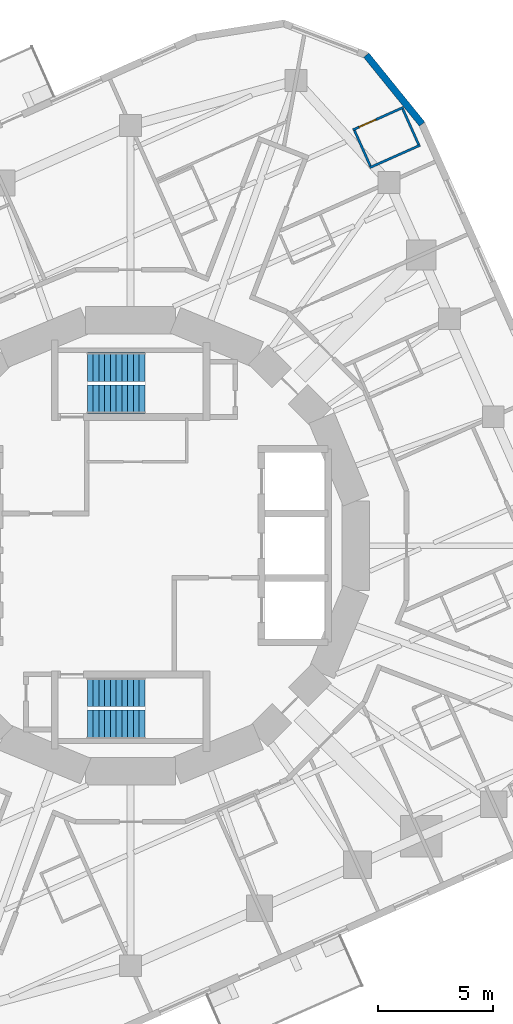
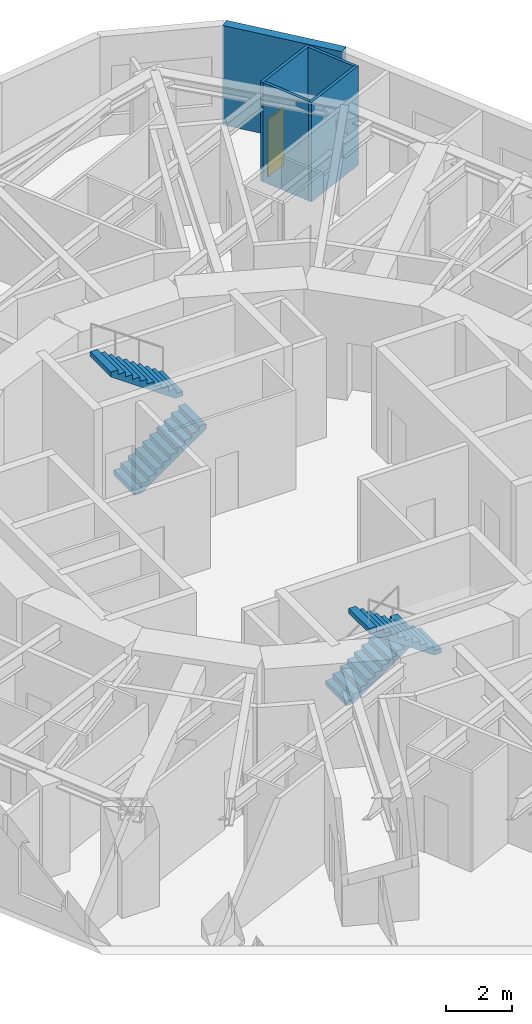
# One storey, part 10 of 12: 5 walls, 4 stair flights, 1 door, 1 opening, 2 elements without a shape of their own.
"""IFC4 building model written with IfcOpenShell, lengths in metres."""

import ifcopenshell
import ifcopenshell.guid

model = None  # the IFC model being written
_history = None  # IfcOwnerHistory: only IFC2X3 demands one
_inside = {}  # id of a spatial element -> (the spatial element, [elements in it])
_under = {}  # id of a project, library or spatial element -> (it, [spatial elements below it])
_declared = {}  # id of a project -> (the project, [libraries it declares])
_typed = {}  # id of a type object -> (the type object, [elements of that type])
_made_of = {}  # id of a material, layer set ... -> (it, [elements and type objects made of it])


def new_model(schema):
    """Start an empty IFC model of exactly this schema.

    Asked for "IFC4X3", IfcOpenShell would pick the latest addendum, in which some entities
    have other attributes; the version numbers below select the first issue.
    IFC2X3 requires an IfcOwnerHistory on every rooted entity: one is made here for all.
    """
    global model, _history
    if schema == "IFC4X3":
        model = ifcopenshell.file(schema_version=(4, 3, 0, 0))
    else:
        model = ifcopenshell.file(schema=schema)
    _inside.clear()
    _under.clear()
    _declared.clear()
    _typed.clear()
    _made_of.clear()
    _history = None
    if model.schema == "IFC2X3":
        org = make("IfcOrganization", Name="unknown")
        user = make(
            "IfcPersonAndOrganization",
            ThePerson=make("IfcPerson", FamilyName="unknown"),
            TheOrganization=org,
        )
        app = make(
            "IfcApplication",
            ApplicationDeveloper=org,
            Version="unknown",
            ApplicationFullName="unknown",
            ApplicationIdentifier="unknown",
        )
        _history = make(
            "IfcOwnerHistory",
            OwningUser=user,
            OwningApplication=app,
            ChangeAction="ADDED",
            CreationDate=0,
        )
    return model


def make(cls, **values):
    """One entity of the class cls with the attributes given. An attribute that is None is left unset."""
    return model.create_entity(
        cls, **{name: value for name, value in values.items() if value is not None}
    )


def rooted(cls, **values):
    """An entity with a GlobalId (a new one), such as an element, a storey or a relation."""
    return make(cls, GlobalId=ifcopenshell.guid.new(), OwnerHistory=_history, **values)


def si_unit(unit_type, name, prefix=None):
    """IfcSIUnit, for example si_unit("LENGTHUNIT", "METRE", prefix="MILLI")."""
    return make("IfcSIUnit", UnitType=unit_type, Prefix=prefix, Name=name)


def assignment(units):
    """IfcUnitAssignment: the units of a project."""
    return None if units is None else make("IfcUnitAssignment", Units=units)


def point(xyz):
    """IfcCartesianPoint."""
    return None if xyz is None else make("IfcCartesianPoint", Coordinates=xyz)


def direction(xyz):
    """IfcDirection."""
    return None if xyz is None else make("IfcDirection", DirectionRatios=xyz)


def frame(location, z_axis=None, x_axis=None):
    """IfcAxis2Placement3D, a coordinate frame: its origin and axes. An axis left out is left unset."""
    return make(
        "IfcAxis2Placement3D",
        Location=point(location),
        Axis=direction(z_axis),
        RefDirection=direction(x_axis),
    )


def frame_2d(location, x_axis=None):
    """IfcAxis2Placement2D, a coordinate frame in the plane: its origin and x axis."""
    return make(
        "IfcAxis2Placement2D", Location=point(location), RefDirection=direction(x_axis)
    )


def origin():
    """The frame at (0, 0, 0) with its axes left unset."""
    return frame((0.0, 0.0, 0.0))


def place(relative_to, where):
    """IfcLocalPlacement: puts the frame where relative to a parent placement (None: the world)."""
    return make(
        "IfcLocalPlacement", PlacementRelTo=relative_to, RelativePlacement=where
    )


def context(
    kind, dimensions, precision=None, world=None, true_north=None, identifier=None
):
    """IfcGeometricRepresentationContext, for example the 3D "Model" context."""
    return make(
        "IfcGeometricRepresentationContext",
        ContextIdentifier=identifier,
        ContextType=kind,
        CoordinateSpaceDimension=dimensions,
        Precision=precision,
        WorldCoordinateSystem=world,
        TrueNorth=true_north,
    )


def subcontext(parent, identifier, kind, view, scale=None):
    """IfcGeometricRepresentationSubContext, for example "Body" below "Model"."""
    return make(
        "IfcGeometricRepresentationSubContext",
        ContextIdentifier=identifier,
        ContextType=kind,
        ParentContext=parent,
        TargetScale=scale,
        TargetView=view,
    )


def project(units=None, contexts=None):
    """IfcProject with its units and contexts."""
    return rooted(
        "IfcProject",
        Name="project",
        RepresentationContexts=contexts,
        UnitsInContext=assignment(units),
    )


def spatial(cls, under=None, at=None, **own):
    """A site, building, storey or space (cls), placed at a placement, below another one or the project."""
    s = rooted(cls, ObjectPlacement=at, **own)
    if under is not None:
        _under.setdefault(under.id(), (under, []))[1].append(s)
    return s


def polyline(points):
    """IfcPolyline through the points."""
    return make("IfcPolyline", Points=[point(p) for p in points])


def profile(cls, at=None, kind="AREA", **sizes):
    """A parametric profile (cls). Its sizes go by their IFC names, for example OverallWidth=200.0."""
    return make(cls, ProfileType=kind, Position=at, **sizes)


def rectangle(**sizes):
    """IfcRectangleProfileDef."""
    return profile("IfcRectangleProfileDef", **sizes)


def outline(outer, holes=None, kind="AREA"):
    """IfcArbitraryClosedProfileDef: a profile drawn as a closed curve; with holes, ...WithVoids."""
    if holes is None:
        return make("IfcArbitraryClosedProfileDef", ProfileType=kind, OuterCurve=outer)
    return make(
        "IfcArbitraryProfileDefWithVoids",
        ProfileType=kind,
        OuterCurve=outer,
        InnerCurves=holes,
    )


def extrude(swept, where, along, depth):
    """IfcExtrudedAreaSolid: the profile swept, set in the frame where, extruded along a direction by depth."""
    return make(
        "IfcExtrudedAreaSolid",
        SweptArea=swept,
        Position=where,
        ExtrudedDirection=direction(along),
        Depth=depth,
    )


def shape(context_of_items, identifier, shape_type, items):
    """IfcShapeRepresentation: the items that make up one representation, for example the "Body"."""
    return make(
        "IfcShapeRepresentation",
        ContextOfItems=context_of_items,
        RepresentationIdentifier=identifier,
        RepresentationType=shape_type,
        Items=items,
    )


def material(Name=None, Category=None):
    """IfcMaterial."""
    return make("IfcMaterial", Name=Name, Category=Category)


def layer(
    of_material, thickness, ventilated=None, Name=None, Category=None, Priority=None
):
    """IfcMaterialLayer: one layer of a wall or slab, of a material (None: an air gap)."""
    return make(
        "IfcMaterialLayer",
        Material=of_material,
        LayerThickness=thickness,
        IsVentilated=ventilated,
        Name=Name,
        Category=Category,
        Priority=Priority,
    )


def layer_set(layers, Name=None):
    """IfcMaterialLayerSet."""
    return make("IfcMaterialLayerSet", MaterialLayers=layers, LayerSetName=Name)


def made_of(thing, what):
    """Note that an element or type object is made of a material, layer set ...; save() writes the relation."""
    if what is not None:
        _made_of.setdefault(what.id(), (what, []))[1].append(thing)
    return thing


def type_object(cls, material=None, **own):
    """A type object (cls), such as IfcWallType, which elements share."""
    return made_of(rooted(cls, **own), material)


def element(
    cls,
    number,
    at=None,
    inside=None,
    cuts=None,
    type_object=None,
    material=None,
    context=None,
    identifier="Body",
    shape_type=None,
    held_by="IfcProductDefinitionShape",
    body=None,
    shapes=None,
    **own,
):
    """One element of the class cls, such as IfcWall. Its Tag is "e" and its number.

    at: its placement. inside: the storey or other place that contains it. cuts: it is an
    opening in that element (IfcRelVoidsElement). A single representation is given by context,
    identifier, shape_type and body (its items); several are given by shapes. held_by: the class
    of the entity that holds the representations. save() writes the other relations.
    """
    e = rooted(cls, Tag="e%d" % number, ObjectPlacement=at, **own)
    if body is not None:
        shapes = [shape(context, identifier, shape_type, body)]
    if shapes is not None:
        e.Representation = make(held_by, Representations=shapes)
    if inside is not None:
        _inside.setdefault(inside.id(), (inside, []))[1].append(e)
    if cuts is not None:
        rooted(
            "IfcRelVoidsElement", RelatingBuildingElement=cuts, RelatedOpeningElement=e
        )
    if type_object is not None:
        _typed.setdefault(type_object.id(), (type_object, []))[1].append(e)
    return made_of(e, material)


def fill(opening, filler):
    """IfcRelFillsElement: the door or window that sits in an opening."""
    return rooted(
        "IfcRelFillsElement",
        RelatingOpeningElement=opening,
        RelatedBuildingElement=filler,
    )


def aggregate(whole, parts):
    """IfcRelAggregates: a whole, such as a stair, and the parts it consists of."""
    return rooted("IfcRelAggregates", RelatingObject=whole, RelatedObjects=parts)


def save(model, path):
    """Write the relations noted so far, then the file.

    IfcRelAggregates (storeys below a building ...), IfcRelContainedInSpatialStructure (elements
    in a storey), IfcRelDefinesByType, IfcRelAssociatesMaterial and IfcRelDeclares: one each for
    every whole, place, type object, material and project.
    """
    for whole, parts in _under.values():
        aggregate(whole, parts)
    for where, things in _inside.values():
        rooted(
            "IfcRelContainedInSpatialStructure",
            RelatedElements=things,
            RelatingStructure=where,
        )
    for kind, things in _typed.values():
        rooted("IfcRelDefinesByType", RelatedObjects=things, RelatingType=kind)
    for what, things in _made_of.values():
        rooted("IfcRelAssociatesMaterial", RelatedObjects=things, RelatingMaterial=what)
    for by, libraries in _declared.values():
        rooted("IfcRelDeclares", RelatingContext=by, RelatedDefinitions=libraries)
    model.write(path)


model = new_model("IFC4")

# Units and contexts
model_context = context("Model", 3, precision=1e-05, world=origin(), true_north=direction((0.0, 1.0)))
body_context = subcontext(model_context, "Body", "Model", "MODEL_VIEW")
ifc_project = project(units=[si_unit("LENGTHUNIT", "METRE"), si_unit("AREAUNIT", "SQUARE_METRE"), si_unit("VOLUMEUNIT", "CUBIC_METRE"), si_unit("PLANEANGLEUNIT", "RADIAN"), si_unit("MASSUNIT", "GRAM", prefix="KILO")], contexts=[model_context])

# Site, building, storey
site_placement = place(None, origin())
site = spatial("IfcSite", under=ifc_project, at=site_placement, CompositionType="ELEMENT")
building_placement = place(site_placement, origin())
building = spatial("IfcBuilding", under=site, at=building_placement, Name="Nakasero Lantern House", CompositionType="ELEMENT")
storey_placement = place(building_placement, frame((0.0, 0.0, 213.25)))
storey = spatial("IfcBuildingStorey", under=building, at=storey_placement, Name="L52", CompositionType="ELEMENT", Elevation=213.25)

# Wall, opening, door
ifc_material_1 = material(Name="Blockwork", Category="masonry")
ifc_layer_1 = layer(ifc_material_1, 0.10009765625)
ifc_layer_set_1 = layer_set([ifc_layer_1], Name="En-suite wall 100")
wall_type_1 = type_object("IfcWallType", Name="En-suite wall 100", PredefinedType="PARTITIONING", material=ifc_layer_set_1)
wall_1_placement = place(storey_placement, frame((9.676025390625, 18.0947265625, 0.0), z_axis=(0.0, 0.0, 1.0), x_axis=(0.913568090055, 0.406685806039, 0.0)))
wall_1 = element("IfcWall", 1, at=wall_1_placement, inside=storey, type_object=wall_type_1, Name="En-suite wall L52 ES0-06", PredefinedType="PARTITIONING", context=body_context, shape_type="SweptSolid", body=[
    extrude(rectangle(XDim=2.400146484375, YDim=0.10009765625, at=frame_2d((1.2001953125, 0.0))), origin(), (0.0, 0.0, 1.0), 3.64990234375),
])
opening_placement = place(wall_1_placement, frame((0.300048828125, 0.0, 0.0)))
opening = element("IfcOpeningElement", 2, at=opening_placement, cuts=wall_1, Name="Opening D02", PredefinedType="OPENING", context=body_context, shape_type="SweptSolid", body=[
    extrude(rectangle(XDim=0.800048828125, YDim=2.10009765625, at=frame_2d((0.39990234375, 1.050048828125))), frame((0.0, 0.070068359375, 0.0), z_axis=(0.0, -1.0, 0.0), x_axis=(1.0, 0.0, 0.0)), (0.0, 0.0, 1.0), 0.14013671875),
])
ifc_material_2 = material(Name="Timber C24", Category="wood")
door_type = type_object("IfcDoorType", Name="En-suite door 800", OperationType="SINGLE_SWING_RIGHT", PredefinedType="DOOR", material=ifc_material_2)
door_placement = place(opening_placement, origin())
door = element("IfcDoor", 3, at=door_placement, inside=storey, type_object=door_type, Name="Door L52 DE0-06", OperationType="SINGLE_SWING_LEFT", OverallHeight=2.10009765625, OverallWidth=0.800048828125, PredefinedType="DOOR", context=body_context, shape_type="SweptSolid", body=[
    extrude(rectangle(XDim=0.800048828125, YDim=2.10009765625, at=frame_2d((0.39990234375, 1.050048828125))), frame((0.0, 0.02490234375, 0.0), z_axis=(0.0, -1.0, 0.0), x_axis=(1.0, 0.0, 0.0)), (0.0, 0.0, 1.0), 0.050048828125),
])
fill(opening, door)

# Walls
wall_2_placement = place(storey_placement, frame((10.408203125, 16.4501953125, 0.0), z_axis=(0.0, 0.0, 1.0), x_axis=(0.913513461389, 0.406808500233, 0.0)))
element("IfcWall", 4, at=wall_2_placement, inside=storey, type_object=wall_type_1, Name="En-suite wall L52 EV0-06", PredefinedType="PARTITIONING", context=body_context, shape_type="SweptSolid", body=[
    extrude(rectangle(XDim=2.39990234375, YDim=0.10009765625, at=frame_2d((1.199951171875, 0.0))), origin(), (0.0, 0.0, 1.0), 3.64990234375),
])
wall_3_placement = place(storey_placement, frame((12.53466796875, 17.45166015625, 0.0), z_axis=(0.0, 0.0, 1.0), x_axis=(-0.406671340378, 0.91357452948, 0.0)))
element("IfcWall", 5, at=wall_3_placement, inside=storey, type_object=wall_type_1, Name="En-suite wall L52 EE0-06", PredefinedType="PARTITIONING", context=body_context, shape_type="SweptSolid", body=[
    extrude(rectangle(XDim=1.7001953125, YDim=0.10009765625, at=frame_2d((0.85009765625, 0.0))), origin(), (0.0, 0.0, 1.0), 3.64990234375),
])
wall_4_placement = place(storey_placement, frame((10.43359375, 16.516357421875, 0.0), z_axis=(0.0, 0.0, 1.0), x_axis=(-0.406724697108, 0.913550776237, 0.0)))
element("IfcWall", 6, at=wall_4_placement, inside=storey, type_object=wall_type_1, Name="En-suite wall L52 EI0-06", PredefinedType="PARTITIONING", context=body_context, shape_type="SweptSolid", body=[
    extrude(rectangle(XDim=1.699951171875, YDim=0.10009765625, at=frame_2d((0.85009765625, 0.0))), origin(), (0.0, 0.0, 1.0), 3.64990234375),
])
ifc_material_3 = material(Name="Aluminium rainscreen on blockwork", Category="masonry")
ifc_layer_2 = layer(ifc_material_3, 0.300048828125)
ifc_layer_set_2 = layer_set([ifc_layer_2], Name="Facade wall 300")
wall_type_2 = type_object("IfcWallType", Name="Facade wall 300", PredefinedType="SOLIDWALL", material=ifc_layer_set_2)
wall_5_placement = place(storey_placement, frame((12.684814453125, 18.345458984375, 0.0), z_axis=(0.0, 0.0, 1.0), x_axis=(-0.629285642335, 0.777174099125, 0.0)))
element("IfcWall", 7, at=wall_5_placement, inside=storey, type_object=wall_type_2, Name="Facade wall L52 FW0C1", PredefinedType="SOLIDWALL", context=body_context, shape_type="SweptSolid", body=[
    extrude(rectangle(XDim=3.8564453125, YDim=0.300048828125, at=frame_2d((1.92822265625, 0.0))), origin(), (0.0, 0.0, 1.0), 3.64990234375),
])

# Stair, stair flights
ifc_material_4 = material(Name="Concrete C40/50", Category="concrete")
stair_type_1 = type_object("IfcStairType", Name="Escape stair ST1 22 risers", PredefinedType="HALF_TURN_STAIR", material=ifc_material_4)
stair_1_placement = place(storey_placement, origin())
stair_1 = element("IfcStair", 8, at=stair_1_placement, inside=storey, type_object=stair_type_1, Name="Escape stair ST1 L52", PredefinedType="HALF_TURN_STAIR")
ifc_material_5 = material(Name="Concrete C40/50", Category="concrete")
stair_flight_type = type_object("IfcStairFlightType", Name="Escape stair flight", PredefinedType="STRAIGHT", material=ifc_material_5)
stair_flight_1_placement = place(storey_placement, frame((-1.875, 6.375, 0.0), z_axis=(0.0, 0.0, 1.0), x_axis=(1.0, 0.0, 0.0)))
stair_flight_1 = element("IfcStairFlight", 9, at=stair_flight_1_placement, type_object=stair_flight_type, Name="ST1 flight 1", NumberOfRisers=11, NumberOfTreads=10, PredefinedType="STRAIGHT", RiserHeight=0.175, TreadLength=0.25, context=body_context, shape_type="SweptSolid", body=[
    extrude(outline(polyline([(0.0, 0.0), (0.0, 0.175048828125), (0.25, 0.175048828125), (0.25, 0.35009765625), (0.5, 0.35009765625), (0.5, 0.52490234375), (0.75, 0.52490234375), (0.75, 0.699951171875), (1.0, 0.699951171875), (1.0, 0.875), (1.25, 0.875), (1.25, 1.050048828125), (1.5, 1.050048828125), (1.5, 1.22509765625), (1.75, 1.22509765625), (1.75, 1.39990234375), (2.0, 1.39990234375), (2.0, 1.574951171875), (2.25, 1.574951171875), (2.25, 1.75), (2.5, 1.75), (2.5, 1.925048828125), (2.5, 1.567138671875), (0.261474609375, 0.0), (0.0, 0.0)])), frame((0.0, 0.625, 0.0), z_axis=(0.0, -1.0, 0.0), x_axis=(1.0, 0.0, 0.0)), (0.0, 0.0, 1.0), 1.25),
])
stair_flight_2_placement = place(storey_placement, frame((0.625, 7.77490234375, 1.925048828125), z_axis=(0.0, 0.0, 1.0), x_axis=(-1.0, 0.0, 0.0)))
stair_flight_2 = element("IfcStairFlight", 10, at=stair_flight_2_placement, type_object=stair_flight_type, Name="ST1 flight 2", NumberOfRisers=11, NumberOfTreads=10, PredefinedType="STRAIGHT", RiserHeight=0.175, TreadLength=0.25, context=body_context, shape_type="SweptSolid", body=[
    extrude(outline(polyline([(0.0, 0.0), (0.0, 0.175048828125), (0.25, 0.175048828125), (0.25, 0.35009765625), (0.5, 0.35009765625), (0.5, 0.52490234375), (0.75, 0.52490234375), (0.75, 0.699951171875), (1.0, 0.699951171875), (1.0, 0.875), (1.25, 0.875), (1.25, 1.050048828125), (1.5, 1.050048828125), (1.5, 1.22509765625), (1.75, 1.22509765625), (1.75, 1.39990234375), (2.0, 1.39990234375), (2.0, 1.574951171875), (2.25, 1.574951171875), (2.25, 1.75), (2.5, 1.75), (2.5, 1.925048828125), (2.5, 1.567138671875), (0.261474609375, 0.0), (0.0, 0.0)])), frame((0.0, 0.625, 0.0), z_axis=(0.0, -1.0, 0.0), x_axis=(1.0, 0.0, 0.0)), (0.0, 0.0, 1.0), 1.25),
])
aggregate(stair_1, [stair_flight_1, stair_flight_2])

ifc_material_6 = material(Name="Concrete C40/50", Category="concrete")
stair_type_2 = type_object("IfcStairType", Name="Escape stair ST2 22 risers", PredefinedType="HALF_TURN_STAIR", material=ifc_material_6)
stair_2_placement = place(storey_placement, origin())
stair_2 = element("IfcStair", 11, at=stair_2_placement, inside=storey, type_object=stair_type_2, Name="Escape stair ST2 L52", PredefinedType="HALF_TURN_STAIR")
stair_flight_3_placement = place(storey_placement, frame((-1.875, -6.375, 0.0), z_axis=(0.0, 0.0, 1.0), x_axis=(1.0, 0.0, 0.0)))
stair_flight_3 = element("IfcStairFlight", 12, at=stair_flight_3_placement, type_object=stair_flight_type, Name="ST2 flight 1", NumberOfRisers=11, NumberOfTreads=10, PredefinedType="STRAIGHT", RiserHeight=0.175, TreadLength=0.25, context=body_context, shape_type="SweptSolid", body=[
    extrude(outline(polyline([(0.0, 0.0), (0.0, 0.175048828125), (0.25, 0.175048828125), (0.25, 0.35009765625), (0.5, 0.35009765625), (0.5, 0.52490234375), (0.75, 0.52490234375), (0.75, 0.699951171875), (1.0, 0.699951171875), (1.0, 0.875), (1.25, 0.875), (1.25, 1.050048828125), (1.5, 1.050048828125), (1.5, 1.22509765625), (1.75, 1.22509765625), (1.75, 1.39990234375), (2.0, 1.39990234375), (2.0, 1.574951171875), (2.25, 1.574951171875), (2.25, 1.75), (2.5, 1.75), (2.5, 1.925048828125), (2.5, 1.567138671875), (0.261474609375, 0.0), (0.0, 0.0)])), frame((0.0, 0.625, 0.0), z_axis=(0.0, -1.0, 0.0), x_axis=(1.0, 0.0, 0.0)), (0.0, 0.0, 1.0), 1.25),
])
stair_flight_4_placement = place(storey_placement, frame((0.625, -7.77490234375, 1.925048828125), z_axis=(0.0, 0.0, 1.0), x_axis=(-1.0, 0.0, 0.0)))
stair_flight_4 = element("IfcStairFlight", 13, at=stair_flight_4_placement, type_object=stair_flight_type, Name="ST2 flight 2", NumberOfRisers=11, NumberOfTreads=10, PredefinedType="STRAIGHT", RiserHeight=0.175, TreadLength=0.25, context=body_context, shape_type="SweptSolid", body=[
    extrude(outline(polyline([(0.0, 0.0), (0.0, 0.175048828125), (0.25, 0.175048828125), (0.25, 0.35009765625), (0.5, 0.35009765625), (0.5, 0.52490234375), (0.75, 0.52490234375), (0.75, 0.699951171875), (1.0, 0.699951171875), (1.0, 0.875), (1.25, 0.875), (1.25, 1.050048828125), (1.5, 1.050048828125), (1.5, 1.22509765625), (1.75, 1.22509765625), (1.75, 1.39990234375), (2.0, 1.39990234375), (2.0, 1.574951171875), (2.25, 1.574951171875), (2.25, 1.75), (2.5, 1.75), (2.5, 1.925048828125), (2.5, 1.567138671875), (0.261474609375, 0.0), (0.0, 0.0)])), frame((0.0, 0.625, 0.0), z_axis=(0.0, -1.0, 0.0), x_axis=(1.0, 0.0, 0.0)), (0.0, 0.0, 1.0), 1.25),
])
aggregate(stair_2, [stair_flight_3, stair_flight_4])

save(model, "model.ifc")
